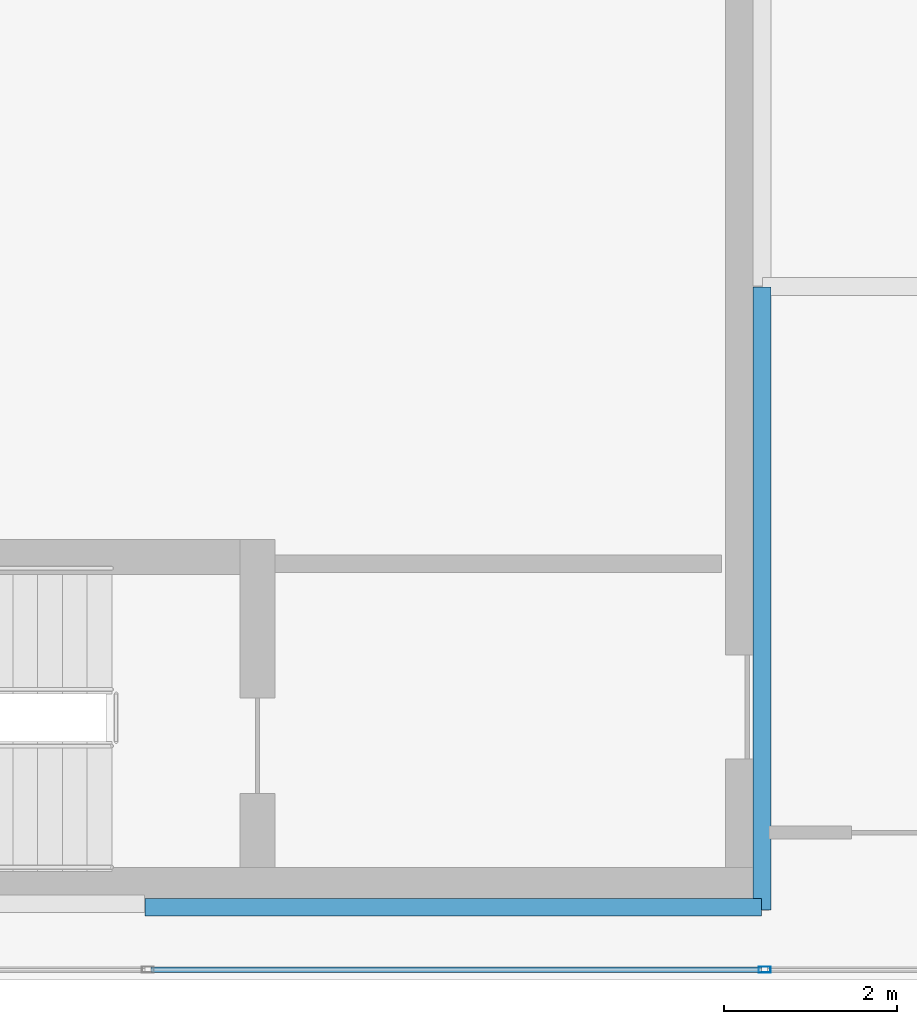
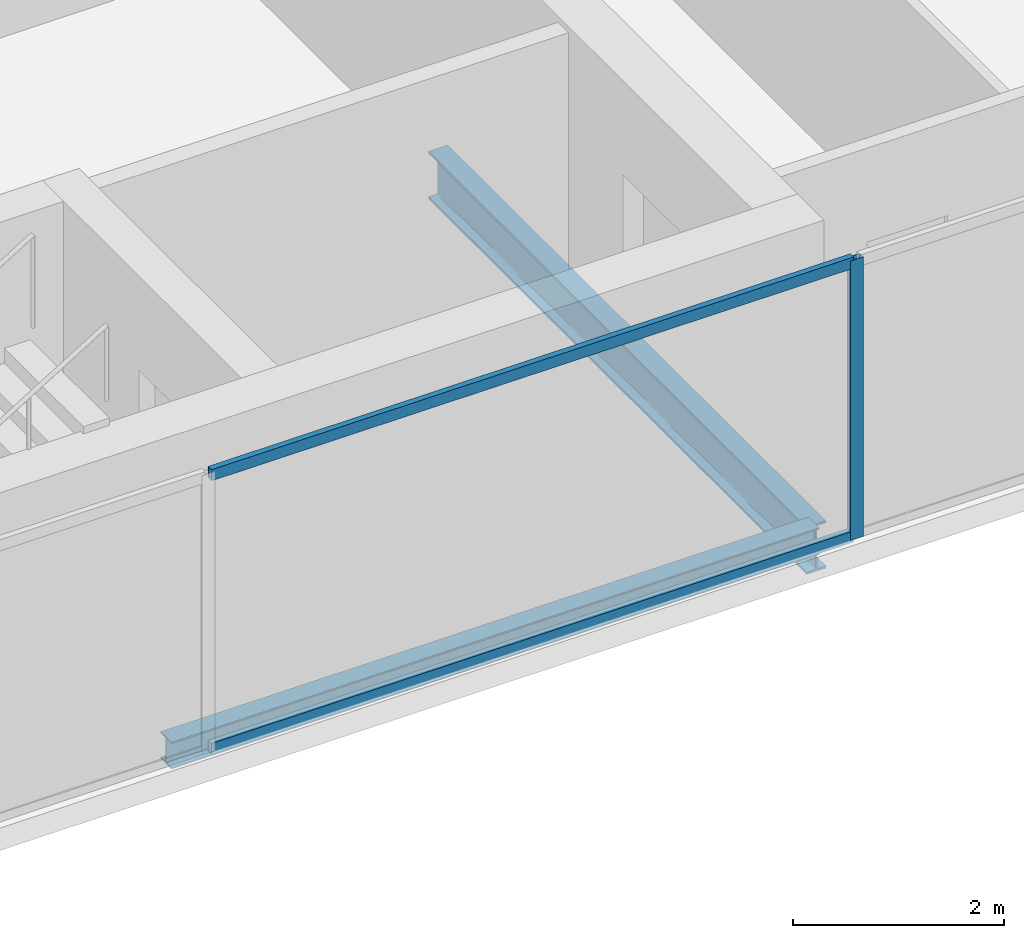
# One storey, part 3 of 23: 3 members, 2 beams, 1 element without a shape of its own.
"""IFC4 building model written with IfcOpenShell, lengths in metres."""

from ifc_helpers import new_model, si_unit, direction, frame, origin, origin_2d, place, context, subcontext, project, spatial, hollow_rectangle, i_section, extrude, material, material_profile, profile_set, type_object, element, aggregate, save


model = new_model("IFC4")

# Units and contexts
model_context = context("Model", 3, precision=1e-05, world=origin(), true_north=direction((0.0, 1.0)))
body_context = subcontext(model_context, "Body", "Model", "MODEL_VIEW")
ifc_project = project(units=[si_unit("LENGTHUNIT", "METRE"), si_unit("AREAUNIT", "SQUARE_METRE"), si_unit("VOLUMEUNIT", "CUBIC_METRE"), si_unit("PLANEANGLEUNIT", "RADIAN"), si_unit("MASSUNIT", "GRAM", prefix="KILO")], contexts=[model_context])

# Site, building, storey
site_placement = place(None, origin())
site = spatial("IfcSite", under=ifc_project, at=site_placement, CompositionType="ELEMENT")
building_placement = place(site_placement, origin())
building = spatial("IfcBuilding", under=site, at=building_placement, Name="Cobrela Telecom Tower", CompositionType="ELEMENT")
storey_placement = place(building_placement, frame((0.0, 0.0, 283.14990234375)))
storey = spatial("IfcBuildingStorey", under=building, at=storey_placement, Name="L74", CompositionType="ELEMENT", Elevation=283.14990234375)

# Beams
ifc_material_1 = material(Name="Steel ASTM A992 Grade 50", Category="steel")
ifc_material_profile_1 = material_profile(ifc_material_1, i_section(OverallWidth=0.212890625, OverallDepth=0.549072265625, WebThickness=0.0146484375, FlangeThickness=0.023681640625, FilletRadius=0.013916015625, at=origin_2d()), Name="W21X93")
ifc_profile_set_1 = profile_set([ifc_material_profile_1], Name="Steel ASTM A992 Grade 50")
beam_type_1 = type_object("IfcBeamType", Name="BM-GIRD-08", PredefinedType="USERDEFINED", material=ifc_profile_set_1)
beam_1_placement = place(storey_placement, frame((14.320068359375, 7.205078125, -0.534423828125), z_axis=(0.0, 1.0, 0.0), x_axis=(-1.0, 0.0, 0.0)))
element("IfcBeam", 1, at=beam_1_placement, inside=storey, type_object=beam_type_1, Name="L74 Primary Girder Y21", ObjectType="GIRDER", PredefinedType="USERDEFINED", context=body_context, shape_type="SweptSolid", body=[
    extrude(i_section(OverallWidth=0.212890625, OverallDepth=0.549072265625, WebThickness=0.0146484375, FlangeThickness=0.023681640625, FilletRadius=0.013916015625, at=origin_2d()), origin(), (0.0, 0.0, 1.0), 7.18994140625),
])
ifc_material_profile_2 = material_profile(ifc_material_1, i_section(OverallWidth=0.205078125, OverallDepth=0.31005859375, WebThickness=0.009521484375, FlangeThickness=0.016357421875, FilletRadius=0.010986328125, at=origin_2d()), Name="W12X50")
ifc_profile_set_2 = profile_set([ifc_material_profile_2], Name="Steel ASTM A992 Grade 50")
beam_type_2 = type_object("IfcBeamType", Name="BM-SPAND-07", PredefinedType="SPANDREL", material=ifc_profile_set_2)
beam_2_placement = place(storey_placement, frame((7.205078125, 7.239990234375, -0.414794921875), z_axis=(1.0, 0.0, 0.0), x_axis=(0.0, 1.0, 0.0)))
element("IfcBeam", 2, at=beam_2_placement, inside=storey, type_object=beam_type_2, Name="L74 Perimeter Spandrel X02", PredefinedType="SPANDREL", context=body_context, shape_type="SweptSolid", body=[
    extrude(i_section(OverallWidth=0.205078125, OverallDepth=0.31005859375, WebThickness=0.009521484375, FlangeThickness=0.016357421875, FilletRadius=0.010986328125, at=origin_2d()), origin(), (0.0, 0.0, 1.0), 7.10986328125),
])

# Curtain wall, members
ifc_material_2 = material(Name="Anodized Bronze Aluminium 6063-T6", Category="aluminium")
curtain_wall_type = type_object("IfcCurtainWallType", Name="CW-SYS-OFF-HI", PredefinedType="USERDEFINED", material=ifc_material_2)
curtain_wall_placement = place(storey_placement, origin())
curtain_wall = element("IfcCurtainWall", 3, at=curtain_wall_placement, inside=storey, type_object=curtain_wall_type, Name="L74 Unitised Bronze Curtain Wall 15", ObjectType="UNITISED CURTAIN WALL", PredefinedType="USERDEFINED")
ifc_material_profile_3 = material_profile(ifc_material_2, hollow_rectangle(XDim=0.070068359375, YDim=0.139892578125, WallThickness=0.00390625, at=origin_2d()), Name="ALU 70x140x4")
ifc_profile_set_3 = profile_set([ifc_material_profile_3], Name="Anodized Bronze Aluminium 6063-T6")
member_type_1 = type_object("IfcMemberType", Name="CW-SYS-OFF-HI-MUL", PredefinedType="MULLION", material=ifc_profile_set_3)
member_1_placement = place(storey_placement, frame((14.35009765625, 6.52001953125, 0.0), z_axis=(0.0, 0.0, 1.0), x_axis=(0.0, -1.0, 0.0)))
member_1 = element("IfcMember", 4, at=member_1_placement, type_object=member_type_1, Name="CW-OFF-HI mullion 5", PredefinedType="MULLION", context=body_context, shape_type="SweptSolid", body=[
    extrude(hollow_rectangle(XDim=0.070068359375, YDim=0.139892578125, WallThickness=0.00390625, at=origin_2d()), origin(), (0.0, 0.0, 1.0), 3.239990234375),
])
ifc_material_profile_4 = material_profile(ifc_material_2, hollow_rectangle(XDim=0.06494140625, YDim=0.1298828125, WallThickness=0.00390625, at=origin_2d()), Name="ALU 65x130x4")
ifc_profile_set_4 = profile_set([ifc_material_profile_4], Name="Anodized Bronze Aluminium 6063-T6")
member_type_2 = type_object("IfcMemberType", Name="CW-SYS-OFF-HI-TRN", PredefinedType="USERDEFINED", material=ifc_profile_set_4)
member_2_placement = place(storey_placement, frame((14.31494140625, 6.52001953125, 0.03271484375), z_axis=(-1.0, 0.0, 0.0), x_axis=(0.0, -1.0, 0.0)))
member_2 = element("IfcMember", 5, at=member_2_placement, type_object=member_type_2, Name="CW-OFF-HI transom 5.1", ObjectType="TRANSOM", PredefinedType="USERDEFINED", context=body_context, shape_type="SweptSolid", body=[
    extrude(hollow_rectangle(XDim=0.06494140625, YDim=0.1298828125, WallThickness=0.00390625, at=origin_2d()), origin(), (0.0, 0.0, 1.0), 7.044921875),
])
member_3_placement = place(storey_placement, frame((14.31494140625, 6.52001953125, 3.20751953125), z_axis=(-1.0, 0.0, 0.0), x_axis=(0.0, -1.0, 0.0)))
member_3 = element("IfcMember", 6, at=member_3_placement, type_object=member_type_2, Name="CW-OFF-HI transom 5.2", ObjectType="TRANSOM", PredefinedType="USERDEFINED", context=body_context, shape_type="SweptSolid", body=[
    extrude(hollow_rectangle(XDim=0.06494140625, YDim=0.1298828125, WallThickness=0.00390625, at=origin_2d()), origin(), (0.0, 0.0, 1.0), 7.044921875),
])
aggregate(curtain_wall, [member_1, member_2, member_3])

save(model, "model.ifc")
